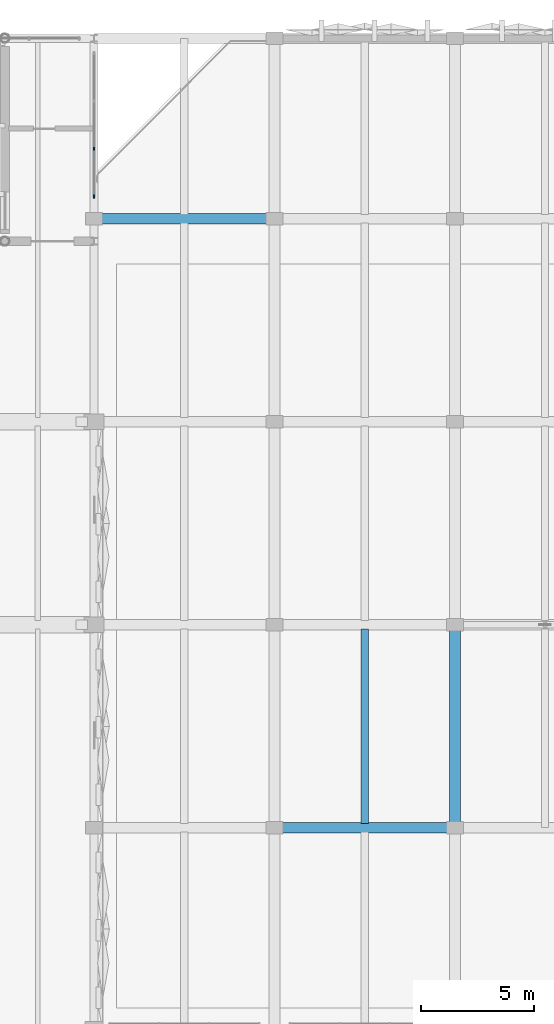
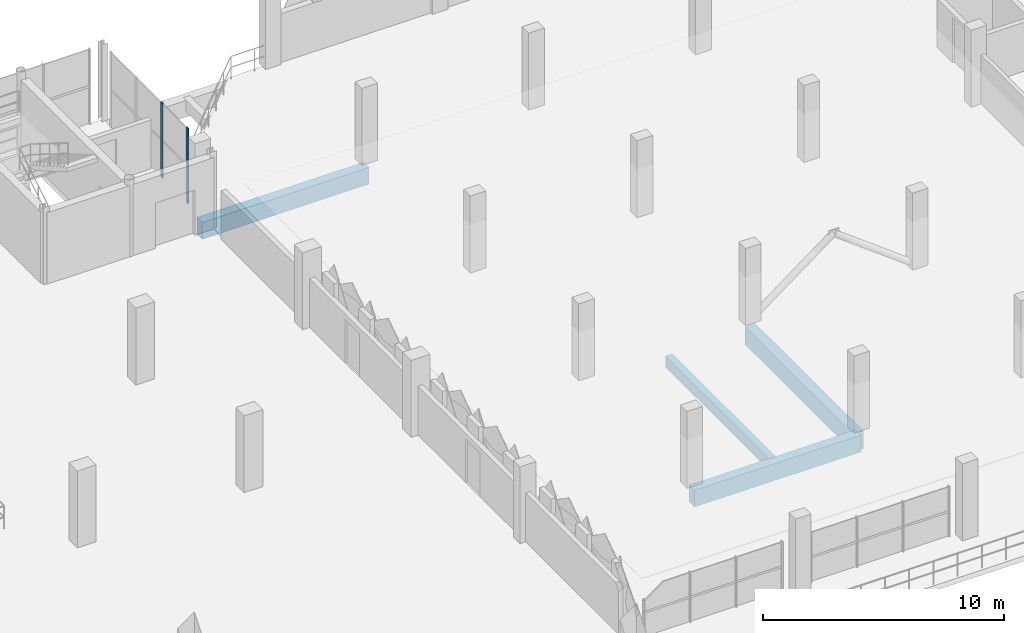
# One storey, part 54 of 123: 4 beams, 2 members, 1 element without a shape of its own.
"""IFC4 building model written with IfcOpenShell, lengths in metres."""

import ifcopenshell
import ifcopenshell.guid

model = None  # the IFC model being written
_history = None  # IfcOwnerHistory: only IFC2X3 demands one
_inside = {}  # id of a spatial element -> (the spatial element, [elements in it])
_under = {}  # id of a project, library or spatial element -> (it, [spatial elements below it])
_declared = {}  # id of a project -> (the project, [libraries it declares])
_typed = {}  # id of a type object -> (the type object, [elements of that type])
_made_of = {}  # id of a material, layer set ... -> (it, [elements and type objects made of it])


def new_model(schema):
    """Start an empty IFC model of exactly this schema.

    Asked for "IFC4X3", IfcOpenShell would pick the latest addendum, in which some entities
    have other attributes; the version numbers below select the first issue.
    IFC2X3 requires an IfcOwnerHistory on every rooted entity: one is made here for all.
    """
    global model, _history
    if schema == "IFC4X3":
        model = ifcopenshell.file(schema_version=(4, 3, 0, 0))
    else:
        model = ifcopenshell.file(schema=schema)
    _inside.clear()
    _under.clear()
    _declared.clear()
    _typed.clear()
    _made_of.clear()
    _history = None
    if model.schema == "IFC2X3":
        org = make("IfcOrganization", Name="unknown")
        user = make(
            "IfcPersonAndOrganization",
            ThePerson=make("IfcPerson", FamilyName="unknown"),
            TheOrganization=org,
        )
        app = make(
            "IfcApplication",
            ApplicationDeveloper=org,
            Version="unknown",
            ApplicationFullName="unknown",
            ApplicationIdentifier="unknown",
        )
        _history = make(
            "IfcOwnerHistory",
            OwningUser=user,
            OwningApplication=app,
            ChangeAction="ADDED",
            CreationDate=0,
        )
    return model


def make(cls, **values):
    """One entity of the class cls with the attributes given. An attribute that is None is left unset."""
    return model.create_entity(
        cls, **{name: value for name, value in values.items() if value is not None}
    )


def rooted(cls, **values):
    """An entity with a GlobalId (a new one), such as an element, a storey or a relation."""
    return make(cls, GlobalId=ifcopenshell.guid.new(), OwnerHistory=_history, **values)


def si_unit(unit_type, name, prefix=None):
    """IfcSIUnit, for example si_unit("LENGTHUNIT", "METRE", prefix="MILLI")."""
    return make("IfcSIUnit", UnitType=unit_type, Prefix=prefix, Name=name)


def derived_unit(unit_type, elements):
    """IfcDerivedUnit: a product of units, each with its exponent."""
    return make(
        "IfcDerivedUnit",
        Elements=[
            make("IfcDerivedUnitElement", Unit=unit, Exponent=power)
            for unit, power in elements
        ],
        UnitType=unit_type,
    )


def assignment(units):
    """IfcUnitAssignment: the units of a project."""
    return None if units is None else make("IfcUnitAssignment", Units=units)


def point(xyz):
    """IfcCartesianPoint."""
    return None if xyz is None else make("IfcCartesianPoint", Coordinates=xyz)


def direction(xyz):
    """IfcDirection."""
    return None if xyz is None else make("IfcDirection", DirectionRatios=xyz)


def frame(location, z_axis=None, x_axis=None):
    """IfcAxis2Placement3D, a coordinate frame: its origin and axes. An axis left out is left unset."""
    return make(
        "IfcAxis2Placement3D",
        Location=point(location),
        Axis=direction(z_axis),
        RefDirection=direction(x_axis),
    )


def frame_2d(location, x_axis=None):
    """IfcAxis2Placement2D, a coordinate frame in the plane: its origin and x axis."""
    return make(
        "IfcAxis2Placement2D", Location=point(location), RefDirection=direction(x_axis)
    )


def origin():
    """The frame at (0, 0, 0) with its axes left unset."""
    return frame((0.0, 0.0, 0.0))


def origin_2d():
    """The frame at (0, 0) in the plane with its x axis left unset."""
    return frame_2d((0.0, 0.0))


def place(relative_to, where):
    """IfcLocalPlacement: puts the frame where relative to a parent placement (None: the world)."""
    return make(
        "IfcLocalPlacement", PlacementRelTo=relative_to, RelativePlacement=where
    )


def context(
    kind, dimensions, precision=None, world=None, true_north=None, identifier=None
):
    """IfcGeometricRepresentationContext, for example the 3D "Model" context."""
    return make(
        "IfcGeometricRepresentationContext",
        ContextIdentifier=identifier,
        ContextType=kind,
        CoordinateSpaceDimension=dimensions,
        Precision=precision,
        WorldCoordinateSystem=world,
        TrueNorth=true_north,
    )


def subcontext(parent, identifier, kind, view, scale=None):
    """IfcGeometricRepresentationSubContext, for example "Body" below "Model"."""
    return make(
        "IfcGeometricRepresentationSubContext",
        ContextIdentifier=identifier,
        ContextType=kind,
        ParentContext=parent,
        TargetScale=scale,
        TargetView=view,
    )


def project(units=None, contexts=None):
    """IfcProject with its units and contexts."""
    return rooted(
        "IfcProject",
        Name="project",
        RepresentationContexts=contexts,
        UnitsInContext=assignment(units),
    )


def spatial(cls, under=None, at=None, **own):
    """A site, building, storey or space (cls), placed at a placement, below another one or the project."""
    s = rooted(cls, ObjectPlacement=at, **own)
    if under is not None:
        _under.setdefault(under.id(), (under, []))[1].append(s)
    return s


def profile(cls, at=None, kind="AREA", **sizes):
    """A parametric profile (cls). Its sizes go by their IFC names, for example OverallWidth=200.0."""
    return make(cls, ProfileType=kind, Position=at, **sizes)


def rectangle(**sizes):
    """IfcRectangleProfileDef."""
    return profile("IfcRectangleProfileDef", **sizes)


def extrude(swept, where, along, depth):
    """IfcExtrudedAreaSolid: the profile swept, set in the frame where, extruded along a direction by depth."""
    return make(
        "IfcExtrudedAreaSolid",
        SweptArea=swept,
        Position=where,
        ExtrudedDirection=direction(along),
        Depth=depth,
    )


def shape(context_of_items, identifier, shape_type, items):
    """IfcShapeRepresentation: the items that make up one representation, for example the "Body"."""
    return make(
        "IfcShapeRepresentation",
        ContextOfItems=context_of_items,
        RepresentationIdentifier=identifier,
        RepresentationType=shape_type,
        Items=items,
    )


def material(Name=None, Category=None):
    """IfcMaterial."""
    return make("IfcMaterial", Name=Name, Category=Category)


def layer(
    of_material, thickness, ventilated=None, Name=None, Category=None, Priority=None
):
    """IfcMaterialLayer: one layer of a wall or slab, of a material (None: an air gap)."""
    return make(
        "IfcMaterialLayer",
        Material=of_material,
        LayerThickness=thickness,
        IsVentilated=ventilated,
        Name=Name,
        Category=Category,
        Priority=Priority,
    )


def layer_set(layers, Name=None):
    """IfcMaterialLayerSet."""
    return make("IfcMaterialLayerSet", MaterialLayers=layers, LayerSetName=Name)


def material_profile(
    of_material, cross_section, Name=None, Category=None, Priority=None
):
    """IfcMaterialProfile: a cross section and its material."""
    return make(
        "IfcMaterialProfile",
        Name=Name,
        Material=of_material,
        Profile=cross_section,
        Priority=Priority,
        Category=Category,
    )


def profile_set(profiles, Name=None, composite=None):
    """IfcMaterialProfileSet."""
    return make(
        "IfcMaterialProfileSet",
        Name=Name,
        MaterialProfiles=profiles,
        CompositeProfile=composite,
    )


def made_of(thing, what):
    """Note that an element or type object is made of a material, layer set ...; save() writes the relation."""
    if what is not None:
        _made_of.setdefault(what.id(), (what, []))[1].append(thing)
    return thing


def type_object(cls, material=None, **own):
    """A type object (cls), such as IfcWallType, which elements share."""
    return made_of(rooted(cls, **own), material)


def element(
    cls,
    number,
    at=None,
    inside=None,
    cuts=None,
    type_object=None,
    material=None,
    context=None,
    identifier="Body",
    shape_type=None,
    held_by="IfcProductDefinitionShape",
    body=None,
    shapes=None,
    **own,
):
    """One element of the class cls, such as IfcWall. Its Tag is "e" and its number.

    at: its placement. inside: the storey or other place that contains it. cuts: it is an
    opening in that element (IfcRelVoidsElement). A single representation is given by context,
    identifier, shape_type and body (its items); several are given by shapes. held_by: the class
    of the entity that holds the representations. save() writes the other relations.
    """
    e = rooted(cls, Tag="e%d" % number, ObjectPlacement=at, **own)
    if body is not None:
        shapes = [shape(context, identifier, shape_type, body)]
    if shapes is not None:
        e.Representation = make(held_by, Representations=shapes)
    if inside is not None:
        _inside.setdefault(inside.id(), (inside, []))[1].append(e)
    if cuts is not None:
        rooted(
            "IfcRelVoidsElement", RelatingBuildingElement=cuts, RelatedOpeningElement=e
        )
    if type_object is not None:
        _typed.setdefault(type_object.id(), (type_object, []))[1].append(e)
    return made_of(e, material)


def aggregate(whole, parts):
    """IfcRelAggregates: a whole, such as a stair, and the parts it consists of."""
    return rooted("IfcRelAggregates", RelatingObject=whole, RelatedObjects=parts)


def save(model, path):
    """Write the relations noted so far, then the file.

    IfcRelAggregates (storeys below a building ...), IfcRelContainedInSpatialStructure (elements
    in a storey), IfcRelDefinesByType, IfcRelAssociatesMaterial and IfcRelDeclares: one each for
    every whole, place, type object, material and project.
    """
    for whole, parts in _under.values():
        aggregate(whole, parts)
    for where, things in _inside.values():
        rooted(
            "IfcRelContainedInSpatialStructure",
            RelatedElements=things,
            RelatingStructure=where,
        )
    for kind, things in _typed.values():
        rooted("IfcRelDefinesByType", RelatedObjects=things, RelatingType=kind)
    for what, things in _made_of.values():
        rooted("IfcRelAssociatesMaterial", RelatedObjects=things, RelatingMaterial=what)
    for by, libraries in _declared.values():
        rooted("IfcRelDeclares", RelatingContext=by, RelatedDefinitions=libraries)
    model.write(path)


model = new_model("IFC4")

# Units and contexts
model_context = context("Model", 3, precision=1e-05, world=origin(), true_north=direction((0.0, 1.0)))
body_context = subcontext(model_context, "Body", "Model", "MODEL_VIEW")
ifc_project = project(units=[si_unit("LENGTHUNIT", "METRE"), si_unit("AREAUNIT", "SQUARE_METRE"), si_unit("VOLUMEUNIT", "CUBIC_METRE"), si_unit("PLANEANGLEUNIT", "RADIAN"), si_unit("MASSUNIT", "GRAM", prefix="KILO"), si_unit("THERMODYNAMICTEMPERATUREUNIT", "KELVIN"), derived_unit("THERMALTRANSMITTANCEUNIT", [(si_unit("POWERUNIT", "WATT"), 1), (si_unit("AREAUNIT", "SQUARE_METRE"), -1), (si_unit("THERMODYNAMICTEMPERATUREUNIT", "KELVIN"), -1)])], contexts=[model_context])

# Site, building, storey
site_placement = place(None, origin())
site = spatial("IfcSite", under=ifc_project, at=site_placement, CompositionType="ELEMENT")
building_placement = place(site_placement, origin())
building = spatial("IfcBuilding", under=site, at=building_placement, Name="Haiyu Intermodal Mobility Hub", CompositionType="ELEMENT")
storey_placement = place(building_placement, frame((0.0, 0.0, 5.60009765625)))
storey = spatial("IfcBuildingStorey", under=building, at=storey_placement, Name="L01", CompositionType="ELEMENT", Elevation=5.60009765625)

# Beams
ifc_material_1 = material(Name="Concrete C40", Category="concrete")
ifc_material_profile_1 = material_profile(ifc_material_1, rectangle(XDim=0.449951171875, YDim=0.85009765625, at=origin_2d()), Name="RCB450x850")
ifc_profile_set_1 = profile_set([ifc_material_profile_1], Name="Concrete C40")
beam_type_1 = type_object("IfcBeamType", Name="BM-CB02", PredefinedType="BEAM", material=ifc_profile_set_1)
for number, where, z_axis, x_axis, name in (
    (1, (170.0, 113.0, -0.68505859375), (1.0, 0.0, 0.0), (0.0, 1.0, 0.0), "BM-V6G-L01-026"),
    (2, (162.0, 140.0, -0.68505859375), (1.0, 0.0, 0.0), (0.0, 1.0, 0.0), "BM-V6G-L01-043"),
):
    element("IfcBeam", number, at=place(storey_placement, frame(where, z_axis=z_axis, x_axis=x_axis)), inside=storey, type_object=beam_type_1, Name=name, PredefinedType="BEAM", context=body_context, shape_type="SweptSolid", body=[
        extrude(rectangle(XDim=0.449951171875, YDim=0.85009765625, at=origin_2d()), origin(), (0.0, 0.0, 1.0), 8.0),
    ])
ifc_material_profile_2 = material_profile(ifc_material_1, rectangle(XDim=0.47998046875, YDim=0.919921875, at=origin_2d()), Name="B480x920")
ifc_profile_set_2 = profile_set([ifc_material_profile_2], Name="Concrete C40")
beam_type_2 = type_object("IfcBeamType", Name="BM-CB13", PredefinedType="BEAM", material=ifc_profile_set_2)
beam_1_placement = place(storey_placement, frame((178.0, 113.0, -0.72021484375), z_axis=(0.0, 1.0, 0.0), x_axis=(-1.0, 0.0, 0.0)))
element("IfcBeam", 3, at=beam_1_placement, inside=storey, type_object=beam_type_2, Name="BM-V6T-L01-021", PredefinedType="BEAM", context=body_context, shape_type="SweptSolid", body=[
    extrude(rectangle(XDim=0.47998046875, YDim=0.919921875, at=origin_2d()), origin(), (0.0, 0.0, 1.0), 9.0),
])
ifc_material_profile_3 = material_profile(ifc_material_1, rectangle(XDim=0.320068359375, YDim=0.580078125, at=origin_2d()), Name="B320x580")
ifc_profile_set_3 = profile_set([ifc_material_profile_3], Name="Concrete C40")
beam_type_3 = type_object("IfcBeamType", Name="BM-CB17", PredefinedType="JOIST", material=ifc_profile_set_3)
beam_2_placement = place(storey_placement, frame((174.0, 113.195068359375, -0.550048828125), z_axis=(0.0, 1.0, 0.0), x_axis=(-1.0, 0.0, 0.0)))
element("IfcBeam", 4, at=beam_2_placement, inside=storey, type_object=beam_type_3, Name="BM-V6J-L01-013", PredefinedType="JOIST", context=body_context, shape_type="SweptSolid", body=[
    extrude(rectangle(XDim=0.320068359375, YDim=0.580078125, at=origin_2d()), origin(), (0.0, 0.0, 1.0), 8.60986328125),
])

# Curtain wall, members
ifc_material_2 = material(Name="Low-e laminated insulating glass", Category="glass")
ifc_layer = layer(ifc_material_2, 0.199951171875)
ifc_layer_set = layer_set([ifc_layer], Name="Low-e laminated insulating glass")
curtain_wall_type = type_object("IfcCurtainWallType", Name="CW-CW03", PredefinedType="NOTDEFINED", material=ifc_layer_set)
curtain_wall_placement = place(storey_placement, origin())
curtain_wall = element("IfcCurtainWall", 5, at=curtain_wall_placement, inside=storey, type_object=curtain_wall_type, Name="Curtain Wall CW-C4S-L01-066", PredefinedType="NOTDEFINED")
ifc_material_3 = material(Name="Anodised aluminium 6063-T6", Category="aluminium")
ifc_material_profile_4 = material_profile(ifc_material_3, rectangle(XDim=0.06005859375, YDim=0.14501953125, at=origin_2d()), Name="ALU60x145")
ifc_profile_set_4 = profile_set([ifc_material_profile_4], Name="Anodised aluminium 6063-T6")
member_type = type_object("IfcMemberType", Name="CWM-ML03", PredefinedType="MULLION", material=ifc_profile_set_4)
member_1_placement = place(storey_placement, frame((162.0, 140.989990234375, 0.0), z_axis=(0.0, 0.0, 1.0), x_axis=(1.0, 0.0, 0.0)))
member_1 = element("IfcMember", 6, at=member_1_placement, type_object=member_type, Name="CW-C4S-L01-066-ML01", PredefinedType="MULLION", context=body_context, shape_type="SweptSolid", body=[
    extrude(rectangle(XDim=0.06005859375, YDim=0.14501953125, at=origin_2d()), origin(), (0.0, 0.0, 1.0), 3.81982421875),
])
member_2_placement = place(storey_placement, frame((162.0, 143.10693359375, 0.0), z_axis=(0.0, 0.0, 1.0), x_axis=(1.0, 0.0, 0.0)))
member_2 = element("IfcMember", 7, at=member_2_placement, type_object=member_type, Name="CW-C4S-L01-066-ML02", PredefinedType="MULLION", context=body_context, shape_type="SweptSolid", body=[
    extrude(rectangle(XDim=0.06005859375, YDim=0.14501953125, at=origin_2d()), origin(), (0.0, 0.0, 1.0), 3.81982421875),
])
aggregate(curtain_wall, [member_1, member_2])

save(model, "model.ifc")
